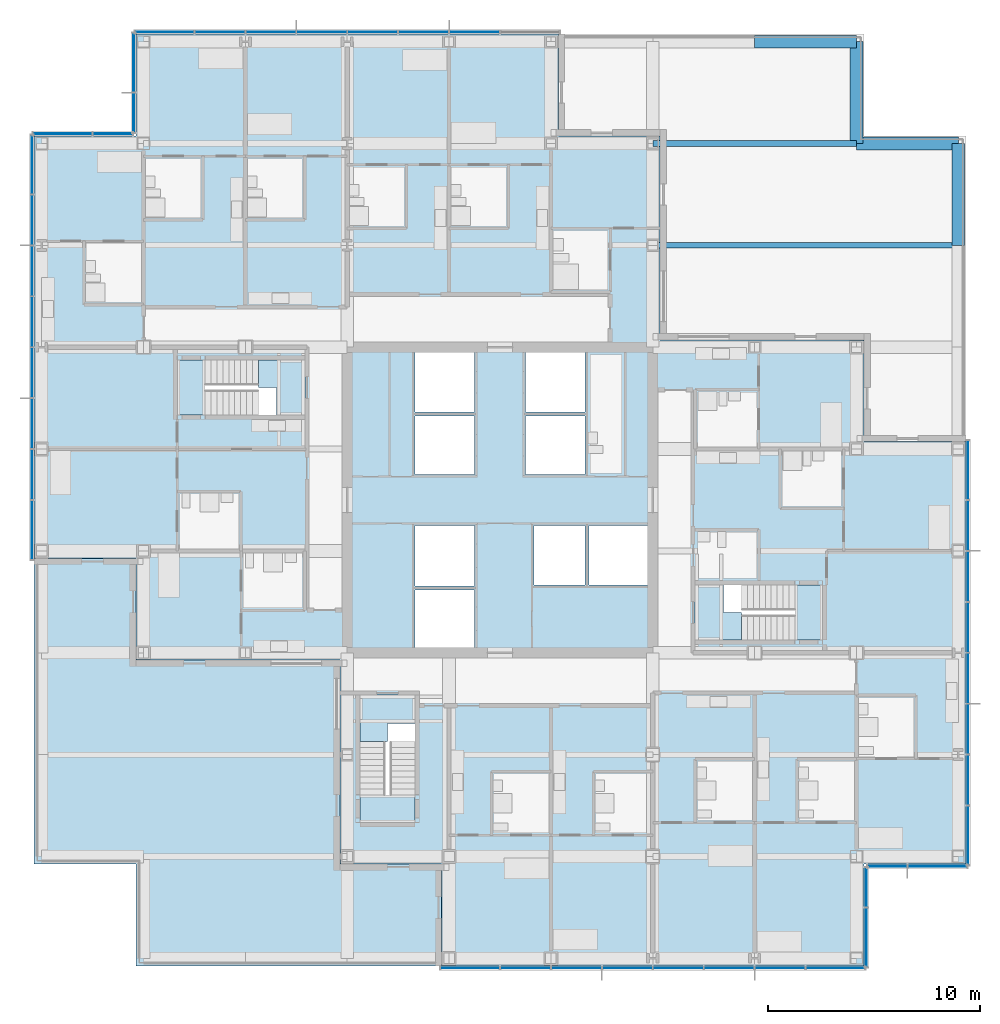
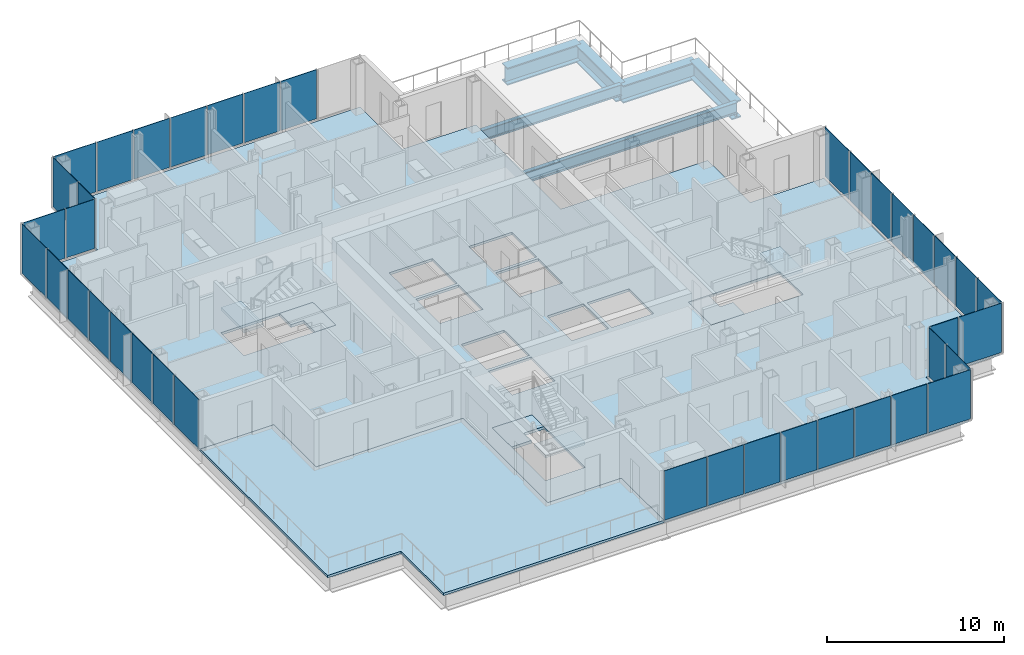
# One storey, part 10 of 19: 39 plates, 8 slabs, 6 beams, 11 elements without a shape of their own.
"""IFC4 building model written with IfcOpenShell, lengths in metres."""

from ifc_helpers import new_model, si_unit, direction, frame, origin, origin_2d, place, context, subcontext, project, spatial, polyline, rectangle, i_section, outline, extrude, material, layer, layer_set, material_profile, profile_set, type_object, element, aggregate, save


model = new_model("IFC4")

# Units and contexts
model_context = context("Model", 3, precision=1e-05, world=origin(), true_north=direction((0.0, 1.0)))
body_context = subcontext(model_context, "Body", "Model", "MODEL_VIEW")
ifc_project = project(units=[si_unit("LENGTHUNIT", "METRE"), si_unit("AREAUNIT", "SQUARE_METRE"), si_unit("VOLUMEUNIT", "CUBIC_METRE"), si_unit("PLANEANGLEUNIT", "RADIAN"), si_unit("MASSUNIT", "GRAM", prefix="KILO")], contexts=[model_context])

# Site, building, storey
site_placement = place(None, origin())
site = spatial("IfcSite", under=ifc_project, at=site_placement, CompositionType="ELEMENT")
building_placement = place(site_placement, origin())
building = spatial("IfcBuilding", under=site, at=building_placement, Name="Kvirike Care Tower", CompositionType="ELEMENT")
storey_placement = place(building_placement, frame((0.0, 0.0, 84.0)))
storey = spatial("IfcBuildingStorey", under=building, at=storey_placement, Name="L22", CompositionType="ELEMENT", Elevation=84.0)

# Beams
ifc_material_1 = material(Name="Steel S355", Category="steel")
ifc_material_profile_1 = material_profile(ifc_material_1, i_section(OverallWidth=0.26806640625, OverallDepth=0.77001953125, WebThickness=0.015625, FlangeThickness=0.025390625, FilletRadius=0.01708984375, at=origin_2d()), Name="IPE 750x196")
ifc_profile_set_1 = profile_set([ifc_material_profile_1], Name="Steel S355")
beam_type_1 = type_object("IfcBeamType", Name="FLOOR BEAM IPE 750x196", PredefinedType="BEAM", material=ifc_profile_set_1)
beam_1_placement = place(storey_placement, frame((28.800048828125, 48.0, -0.554931640625), z_axis=(1.0, 0.0, 0.0), x_axis=(0.0, 1.0, 0.0)))
element("IfcBeam", 1, at=beam_1_placement, inside=storey, type_object=beam_type_1, Name="Floor Beam L9-L12 L22", PredefinedType="BEAM", context=body_context, shape_type="SweptSolid", body=[
    extrude(i_section(OverallWidth=0.26806640625, OverallDepth=0.77001953125, WebThickness=0.015625, FlangeThickness=0.025390625, FilletRadius=0.01708984375, at=origin_2d()), origin(), (0.0, 0.0, 1.0), 14.39990234375),
])
beam_2_placement = place(storey_placement, frame((28.800048828125, 52.800048828125, -0.554931640625), z_axis=(1.0, 0.0, 0.0), x_axis=(0.0, 1.0, 0.0)))
element("IfcBeam", 2, at=beam_2_placement, inside=storey, type_object=beam_type_1, Name="Floor Beam M9-M11 L22", PredefinedType="BEAM", context=body_context, shape_type="SweptSolid", body=[
    extrude(i_section(OverallWidth=0.26806640625, OverallDepth=0.77001953125, WebThickness=0.015625, FlangeThickness=0.025390625, FilletRadius=0.01708984375, at=origin_2d()), origin(), (0.0, 0.0, 1.0), 9.599853515625),
])
ifc_material_2 = material(Name="Steel S355", Category="steel")
ifc_material_profile_2 = material_profile(ifc_material_2, i_section(OverallWidth=0.60009765625, OverallDepth=1.199951171875, WebThickness=0.0400390625, FlangeThickness=0.080078125, at=origin_2d()), Name="PG 1200x600x40x80")
ifc_profile_set_2 = profile_set([ifc_material_profile_2], Name="Steel S355")
beam_type_2 = type_object("IfcBeamType", Name="SPANDREL PG 1200x600x40x80", PredefinedType="SPANDREL", material=ifc_profile_set_2)
beam_3_placement = place(storey_placement, frame((38.39990234375, 52.800048828125, -0.77001953125), z_axis=(1.0, 0.0, 0.0), x_axis=(0.0, 1.0, 0.0)))
element("IfcBeam", 3, at=beam_3_placement, inside=storey, type_object=beam_type_2, Name="Spandrel M11-M12 L22", PredefinedType="SPANDREL", context=body_context, shape_type="SweptSolid", body=[
    extrude(i_section(OverallWidth=0.60009765625, OverallDepth=1.199951171875, WebThickness=0.0400390625, FlangeThickness=0.080078125, at=origin_2d()), origin(), (0.0, 0.0, 1.0), 4.800048828125),
])
beam_4_placement = place(storey_placement, frame((33.60009765625, 57.60009765625, -0.77001953125), z_axis=(1.0, 0.0, 0.0), x_axis=(0.0, 1.0, 0.0)))
element("IfcBeam", 4, at=beam_4_placement, inside=storey, type_object=beam_type_2, Name="Spandrel N10-N11 L22", PredefinedType="SPANDREL", context=body_context, shape_type="SweptSolid", body=[
    extrude(i_section(OverallWidth=0.60009765625, OverallDepth=1.199951171875, WebThickness=0.0400390625, FlangeThickness=0.080078125, at=origin_2d()), origin(), (0.0, 0.0, 1.0), 4.7998046875),
])
for number, where, z_axis, x_axis, name in (
    (5, (38.39990234375, 52.800048828125, -0.77001953125), (0.0, 1.0, 0.0), (-1.0, 0.0, 0.0), "Spandrel M11-N11 L22"),
    (6, (43.199951171875, 48.0, -0.77001953125), (0.0, 1.0, 0.0), (-1.0, 0.0, 0.0), "Spandrel L12-M12 L22"),
):
    element("IfcBeam", number, at=place(storey_placement, frame(where, z_axis=z_axis, x_axis=x_axis)), inside=storey, type_object=beam_type_2, Name=name, PredefinedType="SPANDREL", context=body_context, shape_type="SweptSolid", body=[
        extrude(i_section(OverallWidth=0.60009765625, OverallDepth=1.199951171875, WebThickness=0.0400390625, FlangeThickness=0.080078125, at=origin_2d()), origin(), (0.0, 0.0, 1.0), 4.800048828125),
    ])

# Slab
ifc_material_3 = material(Name="Concrete C35/45", Category="concrete")
ifc_layer_1 = layer(ifc_material_3, 0.169921875)
ifc_layer_set_1 = layer_set([ifc_layer_1], Name="FLOOR SLAB 170")
slab_type_1 = type_object("IfcSlabType", Name="FLOOR SLAB 170", PredefinedType="FLOOR", material=ifc_layer_set_1)
slab_1_placement = place(storey_placement, frame((0.0, 0.0, -0.169921875)))
element("IfcSlab", 7, at=slab_1_placement, inside=storey, type_object=slab_type_1, Name="Floor slab L22", PredefinedType="FLOOR", context=body_context, shape_type="SweptSolid", body=[
    extrude(outline(polyline([(43.550048828125, 18.85009765625), (43.550048828125, 38.75), (38.75, 38.75), (38.75, 43.550048828125), (29.14990234375, 43.550048828125), (29.14990234375, 53.14990234375), (24.35009765625, 53.14990234375), (24.35009765625, 57.949951171875), (4.449951171875, 57.949951171875), (4.449951171875, 53.14990234375), (-0.35009765625, 53.14990234375), (-0.35009765625, 33.25), (4.449951171875, 33.25), (4.449951171875, 28.449951171875), (14.050048828125, 28.449951171875), (14.050048828125, 18.85009765625), (18.85009765625, 18.85009765625), (18.85009765625, 14.050048828125), (38.75, 14.050048828125), (38.75, 18.85009765625), (43.550048828125, 18.85009765625)]), holes=[polyline([(17.60009765625, 29.050048828125), (17.60009765625, 31.75), (20.39990234375, 31.75), (20.39990234375, 29.050048828125), (17.60009765625, 29.050048828125)]), polyline([(17.60009765625, 31.949951171875), (17.60009765625, 34.800048828125), (20.39990234375, 34.800048828125), (20.39990234375, 31.949951171875), (17.60009765625, 31.949951171875)]), polyline([(17.60009765625, 37.199951171875), (17.60009765625, 39.949951171875), (20.39990234375, 39.949951171875), (20.39990234375, 37.199951171875), (17.60009765625, 37.199951171875)]), polyline([(17.60009765625, 40.14990234375), (17.60009765625, 42.949951171875), (20.39990234375, 42.949951171875), (20.39990234375, 40.14990234375), (17.60009765625, 40.14990234375)]), polyline([(22.800048828125, 37.199951171875), (22.800048828125, 39.949951171875), (25.60009765625, 39.949951171875), (25.60009765625, 37.199951171875), (22.800048828125, 37.199951171875)]), polyline([(22.800048828125, 40.14990234375), (22.800048828125, 42.949951171875), (25.60009765625, 42.949951171875), (25.60009765625, 40.14990234375), (22.800048828125, 40.14990234375)]), polyline([(23.199951171875, 32.0), (23.199951171875, 34.800048828125), (25.60009765625, 34.800048828125), (25.60009765625, 32.0), (23.199951171875, 32.0)]), polyline([(25.800048828125, 32.0), (25.800048828125, 34.800048828125), (28.550048828125, 34.800048828125), (28.550048828125, 32.0), (25.800048828125, 32.0)]), polyline([(12.39990234375, 42.60009765625), (12.39990234375, 40.0), (6.39990234375, 40.0), (6.39990234375, 42.60009765625), (12.39990234375, 42.60009765625)]), polyline([(30.800048828125, 29.39990234375), (30.800048828125, 32.0), (36.800048828125, 32.0), (36.800048828125, 29.39990234375), (30.800048828125, 29.39990234375)]), polyline([(15.0, 26.800048828125), (17.60009765625, 26.800048828125), (17.60009765625, 20.800048828125), (15.0, 20.800048828125), (15.0, 26.800048828125)])]), origin(), (0.0, 0.0, 1.0), 0.169921875),
])

# Stair, slabs
ifc_material_4 = material(Name="Concrete C35/45", Category="concrete")
stair_type = type_object("IfcStairType", Name="STAIR 20 RISERS", PredefinedType="HALF_TURN_STAIR", material=ifc_material_4)
stair_1_placement = place(storey_placement, origin())
stair_1 = element("IfcStair", 8, at=stair_1_placement, inside=storey, type_object=stair_type, Name="Stair 1 L22", PredefinedType="HALF_TURN_STAIR")
ifc_material_5 = material(Name="Concrete C35/45", Category="concrete")
ifc_layer_2 = layer(ifc_material_5, 0.199951171875)
ifc_layer_set_2 = layer_set([ifc_layer_2], Name="STAIR LANDING 200")
slab_type_2 = type_object("IfcSlabType", Name="STAIR LANDING 200", PredefinedType="LANDING", material=ifc_layer_set_2)
slab_2_placement = place(storey_placement, frame((0.0, 0.0, -0.199951171875)))
slab_2 = element("IfcSlab", 9, at=slab_2_placement, type_object=slab_type_2, Name="Stair S1 floor landing L22", PredefinedType="LANDING", context=body_context, shape_type="SweptSolid", body=[
    extrude(outline(polyline([(10.219970703125, 42.60009765625), (10.219970703125, 41.300048828125), (11.06005859375, 41.300048828125), (11.06005859375, 40.0), (12.39990234375, 40.0), (12.39990234375, 42.60009765625), (10.219970703125, 42.60009765625)])), origin(), (0.0, 0.0, 1.0), 0.199951171875),
])
slab_3_placement = place(storey_placement, frame((0.0, 0.0, 1.550048828125)))
slab_3 = element("IfcSlab", 10, at=slab_3_placement, type_object=slab_type_2, Name="Stair S1 half landing L22-L23", PredefinedType="LANDING", context=body_context, shape_type="SweptSolid", body=[
    extrude(outline(polyline([(6.39990234375, 42.60009765625), (6.39990234375, 40.0), (7.699951171875, 40.0), (7.699951171875, 42.60009765625), (6.39990234375, 42.60009765625)])), origin(), (0.0, 0.0, 1.0), 0.199951171875),
])
aggregate(stair_1, [slab_2, slab_3])

stair_2_placement = place(storey_placement, origin())
stair_2 = element("IfcStair", 11, at=stair_2_placement, inside=storey, type_object=stair_type, Name="Stair 2 L22", PredefinedType="HALF_TURN_STAIR")
slab_4_placement = place(storey_placement, frame((0.0, 0.0, -0.199951171875)))
slab_4 = element("IfcSlab", 12, at=slab_4_placement, type_object=slab_type_2, Name="Stair S2 floor landing L22", PredefinedType="LANDING", context=body_context, shape_type="SweptSolid", body=[
    extrude(outline(polyline([(32.97998046875, 29.39990234375), (32.97998046875, 30.699951171875), (32.139892578125, 30.699951171875), (32.139892578125, 32.0), (30.800048828125, 32.0), (30.800048828125, 29.39990234375), (32.97998046875, 29.39990234375)])), origin(), (0.0, 0.0, 1.0), 0.199951171875),
])
slab_5_placement = place(storey_placement, frame((0.0, 0.0, 1.550048828125)))
slab_5 = element("IfcSlab", 13, at=slab_5_placement, type_object=slab_type_2, Name="Stair S2 half landing L22-L23", PredefinedType="LANDING", context=body_context, shape_type="SweptSolid", body=[
    extrude(outline(polyline([(36.800048828125, 29.39990234375), (36.800048828125, 32.0), (35.5, 32.0), (35.5, 29.39990234375), (36.800048828125, 29.39990234375)])), origin(), (0.0, 0.0, 1.0), 0.199951171875),
])
aggregate(stair_2, [slab_4, slab_5])

stair_3_placement = place(storey_placement, origin())
stair_3 = element("IfcStair", 14, at=stair_3_placement, inside=storey, type_object=stair_type, Name="Stair 5 L22", PredefinedType="HALF_TURN_STAIR")
slab_6_placement = place(storey_placement, frame((0.0, 0.0, -0.199951171875)))
slab_6 = element("IfcSlab", 15, at=slab_6_placement, type_object=slab_type_2, Name="Stair S5 floor landing L22", PredefinedType="LANDING", context=body_context, shape_type="SweptSolid", body=[
    extrude(outline(polyline([(15.0, 24.6201171875), (16.300048828125, 24.6201171875), (16.300048828125, 25.4599609375), (17.60009765625, 25.4599609375), (17.60009765625, 26.800048828125), (15.0, 26.800048828125), (15.0, 24.6201171875)])), origin(), (0.0, 0.0, 1.0), 0.199951171875),
])
slab_7_placement = place(storey_placement, frame((0.0, 0.0, 1.550048828125)))
slab_7 = element("IfcSlab", 16, at=slab_7_placement, type_object=slab_type_2, Name="Stair S5 half landing L22-L23", PredefinedType="LANDING", context=body_context, shape_type="SweptSolid", body=[
    extrude(outline(polyline([(15.0, 20.800048828125), (17.60009765625, 20.800048828125), (17.60009765625, 22.10009765625), (15.0, 22.10009765625), (15.0, 20.800048828125)])), origin(), (0.0, 0.0, 1.0), 0.199951171875),
])
aggregate(stair_3, [slab_6, slab_7])

# Slab
ifc_material_6 = material(Name="Concrete C35/45", Category="concrete")
ifc_layer_3 = layer(ifc_material_6, 0.169921875)
ifc_layer_set_3 = layer_set([ifc_layer_3], Name="TERRACE SLAB 170")
slab_type_3 = type_object("IfcSlabType", Name="TERRACE SLAB 170", PredefinedType="ROOF", material=ifc_layer_set_3)
slab_8_placement = place(storey_placement, frame((0.0, 0.0, -0.169921875)))
element("IfcSlab", 17, at=slab_8_placement, inside=storey, type_object=slab_type_3, Name="Terrace L22 1", PredefinedType="ROOF", context=body_context, shape_type="SweptSolid", body=[
    extrude(outline(polyline([(4.449951171875, 14.050048828125), (18.85009765625, 14.050048828125), (18.85009765625, 18.85009765625), (14.050048828125, 18.85009765625), (14.050048828125, 28.449951171875), (4.449951171875, 28.449951171875), (4.449951171875, 33.25), (-0.35009765625, 33.25), (-0.35009765625, 18.85009765625), (4.449951171875, 18.85009765625), (4.449951171875, 14.050048828125)])), origin(), (0.0, 0.0, 1.0), 0.169921875),
])

# Curtain wall, plates
ifc_material_7 = material(Name="Anodised aluminium stick system", Category="aluminium")
curtain_wall_type = type_object("IfcCurtainWallType", Name="CW-B STICK CURTAIN WALL", PredefinedType="NOTDEFINED", material=ifc_material_7)
curtain_wall_1_placement = place(storey_placement, origin())
curtain_wall_1 = element("IfcCurtainWall", 18, at=curtain_wall_1_placement, inside=storey, type_object=curtain_wall_type, Name="Curtain wall L22 face 1", PredefinedType="NOTDEFINED")
ifc_material_8 = material(Name="Tinted double glazed unit", Category="glass")
ifc_layer_4 = layer(ifc_material_8, 0.035888671875)
ifc_layer_set_4 = layer_set([ifc_layer_4], Name="TINTED VISION PANEL 36")
plate_type = type_object("IfcPlateType", Name="TINTED VISION PANEL 36", PredefinedType="CURTAIN_PANEL", material=ifc_layer_set_4)
plate_1_placement = place(storey_placement, frame((43.659912109375, 20.186279296875, 0.10009765625), z_axis=(0.0, 0.0, 1.0), x_axis=(0.0, 1.0, 0.0)))
plate_1 = element("IfcPlate", 19, at=plate_1_placement, type_object=plate_type, Name="CW-B panel L22 face 1.1", PredefinedType="CURTAIN_PANEL", context=body_context, shape_type="SweptSolid", body=[
    extrude(rectangle(XDim=2.762451171875, YDim=0.035888671875, at=origin_2d()), origin(), (0.0, 0.0, 1.0), 3.39990234375),
])
plate_2_placement = place(storey_placement, frame((43.659912109375, 22.800048828125, 0.10009765625), z_axis=(0.0, 0.0, 1.0), x_axis=(0.0, 1.0, 0.0)))
plate_2 = element("IfcPlate", 20, at=plate_2_placement, type_object=plate_type, Name="CW-B panel L22 face 1.2", PredefinedType="CURTAIN_PANEL", context=body_context, shape_type="SweptSolid", body=[
    extrude(rectangle(XDim=2.3349609375, YDim=0.035888671875, at=origin_2d()), origin(), (0.0, 0.0, 1.0), 3.39990234375),
])
plate_3_placement = place(storey_placement, frame((43.659912109375, 25.199951171875, 0.10009765625), z_axis=(0.0, 0.0, 1.0), x_axis=(0.0, 1.0, 0.0)))
plate_3 = element("IfcPlate", 21, at=plate_3_placement, type_object=plate_type, Name="CW-B panel L22 face 1.3", PredefinedType="CURTAIN_PANEL", context=body_context, shape_type="SweptSolid", body=[
    extrude(rectangle(XDim=2.3349609375, YDim=0.035888671875, at=origin_2d()), origin(), (0.0, 0.0, 1.0), 3.39990234375),
])
plate_4_placement = place(storey_placement, frame((43.659912109375, 27.60009765625, 0.10009765625), z_axis=(0.0, 0.0, 1.0), x_axis=(0.0, 1.0, 0.0)))
plate_4 = element("IfcPlate", 22, at=plate_4_placement, type_object=plate_type, Name="CW-B panel L22 face 1.4", PredefinedType="CURTAIN_PANEL", context=body_context, shape_type="SweptSolid", body=[
    extrude(rectangle(XDim=2.3349609375, YDim=0.035888671875, at=origin_2d()), origin(), (0.0, 0.0, 1.0), 3.39990234375),
])
plate_5_placement = place(storey_placement, frame((43.659912109375, 30.0, 0.10009765625), z_axis=(0.0, 0.0, 1.0), x_axis=(0.0, 1.0, 0.0)))
plate_5 = element("IfcPlate", 23, at=plate_5_placement, type_object=plate_type, Name="CW-B panel L22 face 1.5", PredefinedType="CURTAIN_PANEL", context=body_context, shape_type="SweptSolid", body=[
    extrude(rectangle(XDim=2.3349609375, YDim=0.035888671875, at=origin_2d()), origin(), (0.0, 0.0, 1.0), 3.39990234375),
])
plate_6_placement = place(storey_placement, frame((43.659912109375, 32.39990234375, 0.10009765625), z_axis=(0.0, 0.0, 1.0), x_axis=(0.0, 1.0, 0.0)))
plate_6 = element("IfcPlate", 24, at=plate_6_placement, type_object=plate_type, Name="CW-B panel L22 face 1.6", PredefinedType="CURTAIN_PANEL", context=body_context, shape_type="SweptSolid", body=[
    extrude(rectangle(XDim=2.3349609375, YDim=0.035888671875, at=origin_2d()), origin(), (0.0, 0.0, 1.0), 3.39990234375),
])
plate_7_placement = place(storey_placement, frame((43.659912109375, 34.800048828125, 0.10009765625), z_axis=(0.0, 0.0, 1.0), x_axis=(0.0, 1.0, 0.0)))
plate_7 = element("IfcPlate", 25, at=plate_7_placement, type_object=plate_type, Name="CW-B panel L22 face 1.7", PredefinedType="CURTAIN_PANEL", context=body_context, shape_type="SweptSolid", body=[
    extrude(rectangle(XDim=2.3349609375, YDim=0.035888671875, at=origin_2d()), origin(), (0.0, 0.0, 1.0), 3.39990234375),
])
plate_8_placement = place(storey_placement, frame((43.659912109375, 37.413818359375, 0.10009765625), z_axis=(0.0, 0.0, 1.0), x_axis=(0.0, 1.0, 0.0)))
plate_8 = element("IfcPlate", 26, at=plate_8_placement, type_object=plate_type, Name="CW-B panel L22 face 1.8", PredefinedType="CURTAIN_PANEL", context=body_context, shape_type="SweptSolid", body=[
    extrude(rectangle(XDim=2.762451171875, YDim=0.035888671875, at=origin_2d()), origin(), (0.0, 0.0, 1.0), 3.39990234375),
])
aggregate(curtain_wall_1, [plate_1, plate_2, plate_3, plate_4, plate_5, plate_6, plate_7, plate_8])

curtain_wall_2_placement = place(storey_placement, origin())
curtain_wall_2 = element("IfcCurtainWall", 27, at=curtain_wall_2_placement, inside=storey, type_object=curtain_wall_type, Name="Curtain wall L22 face 8", PredefinedType="NOTDEFINED")
plate_9_placement = place(storey_placement, frame((20.39990234375, 58.06005859375, 0.10009765625), z_axis=(0.0, 0.0, 1.0), x_axis=(-1.0, 0.0, 0.0)))
plate_9 = element("IfcPlate", 28, at=plate_9_placement, type_object=plate_type, Name="CW-B panel L22 face 8.2", PredefinedType="CURTAIN_PANEL", context=body_context, shape_type="SweptSolid", body=[
    extrude(rectangle(XDim=2.3349609375, YDim=0.035888671875, at=origin_2d()), origin(), (0.0, 0.0, 1.0), 3.39990234375),
])
plate_10_placement = place(storey_placement, frame((18.0, 58.06005859375, 0.10009765625), z_axis=(0.0, 0.0, 1.0), x_axis=(-1.0, 0.0, 0.0)))
plate_10 = element("IfcPlate", 29, at=plate_10_placement, type_object=plate_type, Name="CW-B panel L22 face 8.3", PredefinedType="CURTAIN_PANEL", context=body_context, shape_type="SweptSolid", body=[
    extrude(rectangle(XDim=2.3349609375, YDim=0.035888671875, at=origin_2d()), origin(), (0.0, 0.0, 1.0), 3.39990234375),
])
plate_11_placement = place(storey_placement, frame((15.60009765625, 58.06005859375, 0.10009765625), z_axis=(0.0, 0.0, 1.0), x_axis=(-1.0, 0.0, 0.0)))
plate_11 = element("IfcPlate", 30, at=plate_11_placement, type_object=plate_type, Name="CW-B panel L22 face 8.4", PredefinedType="CURTAIN_PANEL", context=body_context, shape_type="SweptSolid", body=[
    extrude(rectangle(XDim=2.3349609375, YDim=0.035888671875, at=origin_2d()), origin(), (0.0, 0.0, 1.0), 3.39990234375),
])
plate_12_placement = place(storey_placement, frame((13.199951171875, 58.06005859375, 0.10009765625), z_axis=(0.0, 0.0, 1.0), x_axis=(-1.0, 0.0, 0.0)))
plate_12 = element("IfcPlate", 31, at=plate_12_placement, type_object=plate_type, Name="CW-B panel L22 face 8.5", PredefinedType="CURTAIN_PANEL", context=body_context, shape_type="SweptSolid", body=[
    extrude(rectangle(XDim=2.3349609375, YDim=0.035888671875, at=origin_2d()), origin(), (0.0, 0.0, 1.0), 3.39990234375),
])
plate_13_placement = place(storey_placement, frame((10.800048828125, 58.06005859375, 0.10009765625), z_axis=(0.0, 0.0, 1.0), x_axis=(-1.0, 0.0, 0.0)))
plate_13 = element("IfcPlate", 32, at=plate_13_placement, type_object=plate_type, Name="CW-B panel L22 face 8.6", PredefinedType="CURTAIN_PANEL", context=body_context, shape_type="SweptSolid", body=[
    extrude(rectangle(XDim=2.3349609375, YDim=0.035888671875, at=origin_2d()), origin(), (0.0, 0.0, 1.0), 3.39990234375),
])
plate_14_placement = place(storey_placement, frame((8.39990234375, 58.06005859375, 0.10009765625), z_axis=(0.0, 0.0, 1.0), x_axis=(-1.0, 0.0, 0.0)))
plate_14 = element("IfcPlate", 33, at=plate_14_placement, type_object=plate_type, Name="CW-B panel L22 face 8.7", PredefinedType="CURTAIN_PANEL", context=body_context, shape_type="SweptSolid", body=[
    extrude(rectangle(XDim=2.3349609375, YDim=0.035888671875, at=origin_2d()), origin(), (0.0, 0.0, 1.0), 3.39990234375),
])
plate_15_placement = place(storey_placement, frame((5.7861328125, 58.06005859375, 0.10009765625), z_axis=(0.0, 0.0, 1.0), x_axis=(-1.0, 0.0, 0.0)))
plate_15 = element("IfcPlate", 34, at=plate_15_placement, type_object=plate_type, Name="CW-B panel L22 face 8.8", PredefinedType="CURTAIN_PANEL", context=body_context, shape_type="SweptSolid", body=[
    extrude(rectangle(XDim=2.762451171875, YDim=0.035888671875, at=origin_2d()), origin(), (0.0, 0.0, 1.0), 3.39990234375),
])
aggregate(curtain_wall_2, [plate_9, plate_10, plate_11, plate_12, plate_13, plate_14, plate_15])

curtain_wall_3_placement = place(storey_placement, origin())
curtain_wall_3 = element("IfcCurtainWall", 35, at=curtain_wall_3_placement, inside=storey, type_object=curtain_wall_type, Name="Curtain wall L22 face 9", PredefinedType="NOTDEFINED")
plate_16_placement = place(storey_placement, frame((4.340087890625, 56.61376953125, 0.10009765625), z_axis=(0.0, 0.0, 1.0), x_axis=(0.0, -1.0, 0.0)))
plate_16 = element("IfcPlate", 36, at=plate_16_placement, type_object=plate_type, Name="CW-B panel L22 face 9.1", PredefinedType="CURTAIN_PANEL", context=body_context, shape_type="SweptSolid", body=[
    extrude(rectangle(XDim=2.762451171875, YDim=0.035888671875, at=origin_2d()), origin(), (0.0, 0.0, 1.0), 3.39990234375),
])
plate_17_placement = place(storey_placement, frame((4.340087890625, 54.246337890625, 0.10009765625), z_axis=(0.0, 0.0, 1.0), x_axis=(0.0, -1.0, 0.0)))
plate_17 = element("IfcPlate", 37, at=plate_17_placement, type_object=plate_type, Name="CW-B panel L22 face 9.2", PredefinedType="CURTAIN_PANEL", context=body_context, shape_type="SweptSolid", body=[
    extrude(rectangle(XDim=1.842529296875, YDim=0.035888671875, at=origin_2d()), origin(), (0.0, 0.0, 1.0), 3.39990234375),
])
aggregate(curtain_wall_3, [plate_16, plate_17])

curtain_wall_4_placement = place(storey_placement, origin())
curtain_wall_4 = element("IfcCurtainWall", 38, at=curtain_wall_4_placement, inside=storey, type_object=curtain_wall_type, Name="Curtain wall L22 face 10", PredefinedType="NOTDEFINED")
plate_18_placement = place(storey_placement, frame((3.353759765625, 53.260009765625, 0.10009765625), z_axis=(0.0, 0.0, 1.0), x_axis=(-1.0, 0.0, 0.0)))
plate_18 = element("IfcPlate", 39, at=plate_18_placement, type_object=plate_type, Name="CW-B panel L22 face 10.1", PredefinedType="CURTAIN_PANEL", context=body_context, shape_type="SweptSolid", body=[
    extrude(rectangle(XDim=1.842529296875, YDim=0.035888671875, at=origin_2d()), origin(), (0.0, 0.0, 1.0), 3.39990234375),
])
plate_19_placement = place(storey_placement, frame((0.986328125, 53.260009765625, 0.10009765625), z_axis=(0.0, 0.0, 1.0), x_axis=(-1.0, 0.0, 0.0)))
plate_19 = element("IfcPlate", 40, at=plate_19_placement, type_object=plate_type, Name="CW-B panel L22 face 10.2", PredefinedType="CURTAIN_PANEL", context=body_context, shape_type="SweptSolid", body=[
    extrude(rectangle(XDim=2.762451171875, YDim=0.035888671875, at=origin_2d()), origin(), (0.0, 0.0, 1.0), 3.39990234375),
])
aggregate(curtain_wall_4, [plate_18, plate_19])

curtain_wall_5_placement = place(storey_placement, origin())
curtain_wall_5 = element("IfcCurtainWall", 41, at=curtain_wall_5_placement, inside=storey, type_object=curtain_wall_type, Name="Curtain wall L22 face 11", PredefinedType="NOTDEFINED")
plate_20_placement = place(storey_placement, frame((-0.4599609375, 51.813720703125, 0.10009765625), z_axis=(0.0, 0.0, 1.0), x_axis=(0.0, -1.0, 0.0)))
plate_20 = element("IfcPlate", 42, at=plate_20_placement, type_object=plate_type, Name="CW-B panel L22 face 11.1", PredefinedType="CURTAIN_PANEL", context=body_context, shape_type="SweptSolid", body=[
    extrude(rectangle(XDim=2.762451171875, YDim=0.035888671875, at=origin_2d()), origin(), (0.0, 0.0, 1.0), 3.39990234375),
])
plate_21_placement = place(storey_placement, frame((-0.4599609375, 49.199951171875, 0.10009765625), z_axis=(0.0, 0.0, 1.0), x_axis=(0.0, -1.0, 0.0)))
plate_21 = element("IfcPlate", 43, at=plate_21_placement, type_object=plate_type, Name="CW-B panel L22 face 11.2", PredefinedType="CURTAIN_PANEL", context=body_context, shape_type="SweptSolid", body=[
    extrude(rectangle(XDim=2.3349609375, YDim=0.035888671875, at=origin_2d()), origin(), (0.0, 0.0, 1.0), 3.39990234375),
])
plate_22_placement = place(storey_placement, frame((-0.4599609375, 46.800048828125, 0.10009765625), z_axis=(0.0, 0.0, 1.0), x_axis=(0.0, -1.0, 0.0)))
plate_22 = element("IfcPlate", 44, at=plate_22_placement, type_object=plate_type, Name="CW-B panel L22 face 11.3", PredefinedType="CURTAIN_PANEL", context=body_context, shape_type="SweptSolid", body=[
    extrude(rectangle(XDim=2.3349609375, YDim=0.035888671875, at=origin_2d()), origin(), (0.0, 0.0, 1.0), 3.39990234375),
])
plate_23_placement = place(storey_placement, frame((-0.4599609375, 44.39990234375, 0.10009765625), z_axis=(0.0, 0.0, 1.0), x_axis=(0.0, -1.0, 0.0)))
plate_23 = element("IfcPlate", 45, at=plate_23_placement, type_object=plate_type, Name="CW-B panel L22 face 11.4", PredefinedType="CURTAIN_PANEL", context=body_context, shape_type="SweptSolid", body=[
    extrude(rectangle(XDim=2.3349609375, YDim=0.035888671875, at=origin_2d()), origin(), (0.0, 0.0, 1.0), 3.39990234375),
])
plate_24_placement = place(storey_placement, frame((-0.4599609375, 42.0, 0.10009765625), z_axis=(0.0, 0.0, 1.0), x_axis=(0.0, -1.0, 0.0)))
plate_24 = element("IfcPlate", 46, at=plate_24_placement, type_object=plate_type, Name="CW-B panel L22 face 11.5", PredefinedType="CURTAIN_PANEL", context=body_context, shape_type="SweptSolid", body=[
    extrude(rectangle(XDim=2.3349609375, YDim=0.035888671875, at=origin_2d()), origin(), (0.0, 0.0, 1.0), 3.39990234375),
])
plate_25_placement = place(storey_placement, frame((-0.4599609375, 39.60009765625, 0.10009765625), z_axis=(0.0, 0.0, 1.0), x_axis=(0.0, -1.0, 0.0)))
plate_25 = element("IfcPlate", 47, at=plate_25_placement, type_object=plate_type, Name="CW-B panel L22 face 11.6", PredefinedType="CURTAIN_PANEL", context=body_context, shape_type="SweptSolid", body=[
    extrude(rectangle(XDim=2.3349609375, YDim=0.035888671875, at=origin_2d()), origin(), (0.0, 0.0, 1.0), 3.39990234375),
])
plate_26_placement = place(storey_placement, frame((-0.4599609375, 37.199951171875, 0.10009765625), z_axis=(0.0, 0.0, 1.0), x_axis=(0.0, -1.0, 0.0)))
plate_26 = element("IfcPlate", 48, at=plate_26_placement, type_object=plate_type, Name="CW-B panel L22 face 11.7", PredefinedType="CURTAIN_PANEL", context=body_context, shape_type="SweptSolid", body=[
    extrude(rectangle(XDim=2.3349609375, YDim=0.035888671875, at=origin_2d()), origin(), (0.0, 0.0, 1.0), 3.39990234375),
])
plate_27_placement = place(storey_placement, frame((-0.4599609375, 34.586181640625, 0.10009765625), z_axis=(0.0, 0.0, 1.0), x_axis=(0.0, -1.0, 0.0)))
plate_27 = element("IfcPlate", 49, at=plate_27_placement, type_object=plate_type, Name="CW-B panel L22 face 11.8", PredefinedType="CURTAIN_PANEL", context=body_context, shape_type="SweptSolid", body=[
    extrude(rectangle(XDim=2.762451171875, YDim=0.035888671875, at=origin_2d()), origin(), (0.0, 0.0, 1.0), 3.39990234375),
])
aggregate(curtain_wall_5, [plate_20, plate_21, plate_22, plate_23, plate_24, plate_25, plate_26, plate_27])

curtain_wall_6_placement = place(storey_placement, origin())
curtain_wall_6 = element("IfcCurtainWall", 50, at=curtain_wall_6_placement, inside=storey, type_object=curtain_wall_type, Name="Curtain wall L22 face 18", PredefinedType="NOTDEFINED")
plate_28_placement = place(storey_placement, frame((20.186279296875, 13.93994140625, 0.10009765625), z_axis=(0.0, 0.0, 1.0), x_axis=(1.0, 0.0, 0.0)))
plate_28 = element("IfcPlate", 51, at=plate_28_placement, type_object=plate_type, Name="CW-B panel L22 face 18.1", PredefinedType="CURTAIN_PANEL", context=body_context, shape_type="SweptSolid", body=[
    extrude(rectangle(XDim=2.762451171875, YDim=0.035888671875, at=origin_2d()), origin(), (0.0, 0.0, 1.0), 3.39990234375),
])
plate_29_placement = place(storey_placement, frame((22.800048828125, 13.93994140625, 0.10009765625), z_axis=(0.0, 0.0, 1.0), x_axis=(1.0, 0.0, 0.0)))
plate_29 = element("IfcPlate", 52, at=plate_29_placement, type_object=plate_type, Name="CW-B panel L22 face 18.2", PredefinedType="CURTAIN_PANEL", context=body_context, shape_type="SweptSolid", body=[
    extrude(rectangle(XDim=2.3349609375, YDim=0.035888671875, at=origin_2d()), origin(), (0.0, 0.0, 1.0), 3.39990234375),
])
plate_30_placement = place(storey_placement, frame((25.199951171875, 13.93994140625, 0.10009765625), z_axis=(0.0, 0.0, 1.0), x_axis=(1.0, 0.0, 0.0)))
plate_30 = element("IfcPlate", 53, at=plate_30_placement, type_object=plate_type, Name="CW-B panel L22 face 18.3", PredefinedType="CURTAIN_PANEL", context=body_context, shape_type="SweptSolid", body=[
    extrude(rectangle(XDim=2.3349609375, YDim=0.035888671875, at=origin_2d()), origin(), (0.0, 0.0, 1.0), 3.39990234375),
])
plate_31_placement = place(storey_placement, frame((27.60009765625, 13.93994140625, 0.10009765625), z_axis=(0.0, 0.0, 1.0), x_axis=(1.0, 0.0, 0.0)))
plate_31 = element("IfcPlate", 54, at=plate_31_placement, type_object=plate_type, Name="CW-B panel L22 face 18.4", PredefinedType="CURTAIN_PANEL", context=body_context, shape_type="SweptSolid", body=[
    extrude(rectangle(XDim=2.3349609375, YDim=0.035888671875, at=origin_2d()), origin(), (0.0, 0.0, 1.0), 3.39990234375),
])
plate_32_placement = place(storey_placement, frame((30.0, 13.93994140625, 0.10009765625), z_axis=(0.0, 0.0, 1.0), x_axis=(1.0, 0.0, 0.0)))
plate_32 = element("IfcPlate", 55, at=plate_32_placement, type_object=plate_type, Name="CW-B panel L22 face 18.5", PredefinedType="CURTAIN_PANEL", context=body_context, shape_type="SweptSolid", body=[
    extrude(rectangle(XDim=2.3349609375, YDim=0.035888671875, at=origin_2d()), origin(), (0.0, 0.0, 1.0), 3.39990234375),
])
plate_33_placement = place(storey_placement, frame((32.39990234375, 13.93994140625, 0.10009765625), z_axis=(0.0, 0.0, 1.0), x_axis=(1.0, 0.0, 0.0)))
plate_33 = element("IfcPlate", 56, at=plate_33_placement, type_object=plate_type, Name="CW-B panel L22 face 18.6", PredefinedType="CURTAIN_PANEL", context=body_context, shape_type="SweptSolid", body=[
    extrude(rectangle(XDim=2.3349609375, YDim=0.035888671875, at=origin_2d()), origin(), (0.0, 0.0, 1.0), 3.39990234375),
])
plate_34_placement = place(storey_placement, frame((34.800048828125, 13.93994140625, 0.10009765625), z_axis=(0.0, 0.0, 1.0), x_axis=(1.0, 0.0, 0.0)))
plate_34 = element("IfcPlate", 57, at=plate_34_placement, type_object=plate_type, Name="CW-B panel L22 face 18.7", PredefinedType="CURTAIN_PANEL", context=body_context, shape_type="SweptSolid", body=[
    extrude(rectangle(XDim=2.3349609375, YDim=0.035888671875, at=origin_2d()), origin(), (0.0, 0.0, 1.0), 3.39990234375),
])
plate_35_placement = place(storey_placement, frame((37.413818359375, 13.93994140625, 0.10009765625), z_axis=(0.0, 0.0, 1.0), x_axis=(1.0, 0.0, 0.0)))
plate_35 = element("IfcPlate", 58, at=plate_35_placement, type_object=plate_type, Name="CW-B panel L22 face 18.8", PredefinedType="CURTAIN_PANEL", context=body_context, shape_type="SweptSolid", body=[
    extrude(rectangle(XDim=2.762451171875, YDim=0.035888671875, at=origin_2d()), origin(), (0.0, 0.0, 1.0), 3.39990234375),
])
aggregate(curtain_wall_6, [plate_28, plate_29, plate_30, plate_31, plate_32, plate_33, plate_34, plate_35])

curtain_wall_7_placement = place(storey_placement, origin())
curtain_wall_7 = element("IfcCurtainWall", 59, at=curtain_wall_7_placement, inside=storey, type_object=curtain_wall_type, Name="Curtain wall L22 face 19", PredefinedType="NOTDEFINED")
plate_36_placement = place(storey_placement, frame((38.860107421875, 15.38623046875, 0.10009765625), z_axis=(0.0, 0.0, 1.0), x_axis=(0.0, 1.0, 0.0)))
plate_36 = element("IfcPlate", 60, at=plate_36_placement, type_object=plate_type, Name="CW-B panel L22 face 19.1", PredefinedType="CURTAIN_PANEL", context=body_context, shape_type="SweptSolid", body=[
    extrude(rectangle(XDim=2.762451171875, YDim=0.035888671875, at=origin_2d()), origin(), (0.0, 0.0, 1.0), 3.39990234375),
])
plate_37_placement = place(storey_placement, frame((38.860107421875, 17.753662109375, 0.10009765625), z_axis=(0.0, 0.0, 1.0), x_axis=(0.0, 1.0, 0.0)))
plate_37 = element("IfcPlate", 61, at=plate_37_placement, type_object=plate_type, Name="CW-B panel L22 face 19.2", PredefinedType="CURTAIN_PANEL", context=body_context, shape_type="SweptSolid", body=[
    extrude(rectangle(XDim=1.842529296875, YDim=0.035888671875, at=origin_2d()), origin(), (0.0, 0.0, 1.0), 3.39990234375),
])
aggregate(curtain_wall_7, [plate_36, plate_37])

curtain_wall_8_placement = place(storey_placement, origin())
curtain_wall_8 = element("IfcCurtainWall", 62, at=curtain_wall_8_placement, inside=storey, type_object=curtain_wall_type, Name="Curtain wall L22 face 20", PredefinedType="NOTDEFINED")
plate_38_placement = place(storey_placement, frame((39.84619140625, 18.739990234375, 0.10009765625), z_axis=(0.0, 0.0, 1.0), x_axis=(1.0, 0.0, 0.0)))
plate_38 = element("IfcPlate", 63, at=plate_38_placement, type_object=plate_type, Name="CW-B panel L22 face 20.1", PredefinedType="CURTAIN_PANEL", context=body_context, shape_type="SweptSolid", body=[
    extrude(rectangle(XDim=1.842529296875, YDim=0.035888671875, at=origin_2d()), origin(), (0.0, 0.0, 1.0), 3.39990234375),
])
plate_39_placement = place(storey_placement, frame((42.2138671875, 18.739990234375, 0.10009765625), z_axis=(0.0, 0.0, 1.0), x_axis=(1.0, 0.0, 0.0)))
plate_39 = element("IfcPlate", 64, at=plate_39_placement, type_object=plate_type, Name="CW-B panel L22 face 20.2", PredefinedType="CURTAIN_PANEL", context=body_context, shape_type="SweptSolid", body=[
    extrude(rectangle(XDim=2.762451171875, YDim=0.035888671875, at=origin_2d()), origin(), (0.0, 0.0, 1.0), 3.39990234375),
])
aggregate(curtain_wall_8, [plate_38, plate_39])

save(model, "model.ifc")
